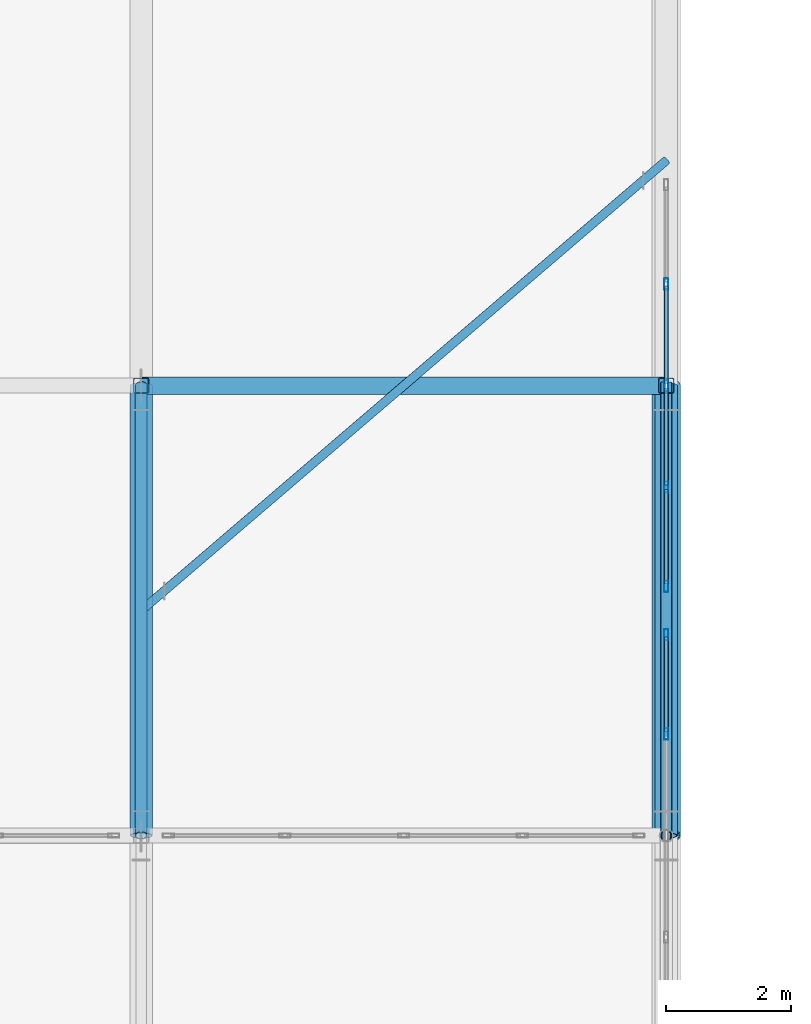
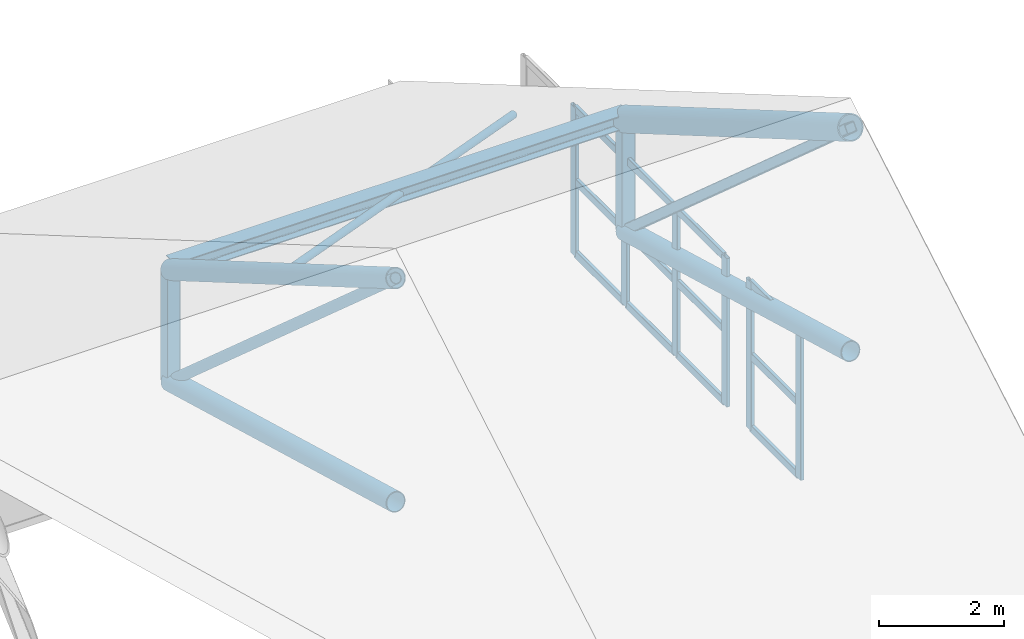
# One storey, part 23 of 54: 28 members, 2 elements without a shape of their own.
"""IFC4 building model written with IfcOpenShell, lengths in metres."""

from ifc_helpers import new_model, si_unit, direction, frame, origin, origin_2d, place, context, subcontext, project, spatial, hollow_rectangle, hollow_circle, i_section, extrude, material, layer, layer_set, material_profile, profile_set, type_object, element, aggregate, save


model = new_model("IFC4")

# Units and contexts
model_context = context("Model", 3, precision=1e-05, world=origin(), true_north=direction((0.0, 1.0)))
body_context = subcontext(model_context, "Body", "Model", "MODEL_VIEW")
ifc_project = project(units=[si_unit("LENGTHUNIT", "METRE"), si_unit("AREAUNIT", "SQUARE_METRE"), si_unit("VOLUMEUNIT", "CUBIC_METRE"), si_unit("PLANEANGLEUNIT", "RADIAN"), si_unit("MASSUNIT", "GRAM", prefix="KILO")], contexts=[model_context])

# Site, building, storey
site_placement = place(None, origin())
site = spatial("IfcSite", under=ifc_project, at=site_placement, CompositionType="ELEMENT")
building_placement = place(site_placement, origin())
building = spatial("IfcBuilding", under=site, at=building_placement, Name="Zulmaris Art Gallery", CompositionType="ELEMENT")
storey_placement = place(building_placement, frame((0.0, 0.0, 26.39990234375)))
storey = spatial("IfcBuildingStorey", under=building, at=storey_placement, Name="L05", CompositionType="ELEMENT", Elevation=26.39990234375)

# Curtain wall, members
ifc_material_1 = material(Name="Pitched Roof North-Light Clerestory Wall", Category="aluminium")
ifc_layer = layer(ifc_material_1, 0.179931640625)
ifc_layer_set = layer_set([ifc_layer], Name="Pitched Roof North-Light Clerestory Wall")
curtain_wall_type = type_object("IfcCurtainWallType", Name="CW-CW05", PredefinedType="NOTDEFINED", material=ifc_layer_set)
curtain_wall_1_placement = place(storey_placement, origin())
curtain_wall_1 = element("IfcCurtainWall", 1, at=curtain_wall_1_placement, inside=storey, type_object=curtain_wall_type, Name="L05 curtain wall 42", PredefinedType="NOTDEFINED")
ifc_material_2 = material(Name="Anodised Bronze Aluminium", Category="aluminium")
ifc_material_profile_1 = material_profile(ifc_material_2, hollow_rectangle(XDim=0.06494140625, YDim=0.179931640625, WallThickness=0.00390625, InnerFilletRadius=0.006103515625, OuterFilletRadius=0.010009765625, at=origin_2d()), Name="ALU 65x180x4")
ifc_profile_set_1 = profile_set([ifc_material_profile_1], Name="Anodised Bronze Aluminium")
member_type_1 = type_object("IfcMemberType", Name="CWMUL-01", PredefinedType="MULLION", material=ifc_profile_set_1)
member_1_placement = place(storey_placement, frame((82.800048828125, 37.625, 0.0), z_axis=(0.0, 0.0, 1.0), x_axis=(-1.0, 0.0, 0.0)))
member_1 = element("IfcMember", 2, at=member_1_placement, type_object=member_type_1, Name="CW05 mullion 4", PredefinedType="MULLION", context=body_context, shape_type="SweptSolid", body=[
    extrude(hollow_rectangle(XDim=0.06494140625, YDim=0.179931640625, WallThickness=0.00390625, InnerFilletRadius=0.006103515625, OuterFilletRadius=0.010009765625, at=origin_2d()), origin(), (0.0, 0.0, 1.0), 2.900146484375),
])
member_2_placement = place(storey_placement, frame((82.800048828125, 39.21240234375, 0.0), z_axis=(0.0, 0.0, 1.0), x_axis=(-1.0, 0.0, 0.0)))
member_2 = element("IfcMember", 3, at=member_2_placement, type_object=member_type_1, Name="CW05 mullion 5", PredefinedType="MULLION", context=body_context, shape_type="SweptSolid", body=[
    extrude(hollow_rectangle(XDim=0.06494140625, YDim=0.179931640625, WallThickness=0.00390625, InnerFilletRadius=0.006103515625, OuterFilletRadius=0.010009765625, at=origin_2d()), origin(), (0.0, 0.0, 1.0), 2.900146484375),
])

curtain_wall_2_placement = place(storey_placement, origin())
curtain_wall_2 = element("IfcCurtainWall", 4, at=curtain_wall_2_placement, inside=storey, type_object=curtain_wall_type, Name="L05 curtain wall 43", PredefinedType="NOTDEFINED")
member_3_placement = place(storey_placement, frame((82.800048828125, 39.987548828125, 0.0), z_axis=(0.0, 0.0, 1.0), x_axis=(-1.0, 0.0, 0.0)))
member_3 = element("IfcMember", 5, at=member_3_placement, type_object=member_type_1, Name="CW05 mullion 1", PredefinedType="MULLION", context=body_context, shape_type="SweptSolid", body=[
    extrude(hollow_rectangle(XDim=0.06494140625, YDim=0.179931640625, WallThickness=0.00390625, InnerFilletRadius=0.006103515625, OuterFilletRadius=0.010009765625, at=origin_2d()), origin(), (0.0, 0.0, 1.0), 2.900146484375),
])
member_4_placement = place(storey_placement, frame((82.800048828125, 41.574951171875, 0.0), z_axis=(0.0, 0.0, 1.0), x_axis=(-1.0, 0.0, 0.0)))
member_4 = element("IfcMember", 6, at=member_4_placement, type_object=member_type_1, Name="CW05 mullion 2", PredefinedType="MULLION", context=body_context, shape_type="SweptSolid", body=[
    extrude(hollow_rectangle(XDim=0.06494140625, YDim=0.179931640625, WallThickness=0.00390625, InnerFilletRadius=0.006103515625, OuterFilletRadius=0.010009765625, at=origin_2d()), origin(), (0.0, 0.0, 1.0), 2.900146484375),
])
member_5_placement = place(storey_placement, frame((82.800048828125, 43.199951171875, 0.0), z_axis=(0.0, 0.0, 1.0), x_axis=(-1.0, 0.0, 0.0)))
member_5 = element("IfcMember", 7, at=member_5_placement, type_object=member_type_1, Name="CW05 mullion 3", PredefinedType="MULLION", context=body_context, shape_type="SweptSolid", body=[
    extrude(hollow_rectangle(XDim=0.06494140625, YDim=0.179931640625, WallThickness=0.00390625, InnerFilletRadius=0.006103515625, OuterFilletRadius=0.010009765625, at=origin_2d()), origin(), (0.0, 0.0, 1.0), 2.900146484375),
])
member_6_placement = place(storey_placement, frame((82.800048828125, 44.824951171875, 0.0), z_axis=(0.0, 0.0, 1.0), x_axis=(-1.0, 0.0, 0.0)))
member_6 = element("IfcMember", 8, at=member_6_placement, type_object=member_type_1, Name="CW05 mullion 4", PredefinedType="MULLION", context=body_context, shape_type="SweptSolid", body=[
    extrude(hollow_rectangle(XDim=0.06494140625, YDim=0.179931640625, WallThickness=0.00390625, InnerFilletRadius=0.006103515625, OuterFilletRadius=0.010009765625, at=origin_2d()), origin(), (0.0, 0.0, 1.0), 2.900146484375),
])

# Member
ifc_material_profile_2 = material_profile(ifc_material_2, hollow_rectangle(XDim=0.06494140625, YDim=0.14990234375, WallThickness=0.00390625, InnerFilletRadius=0.006103515625, OuterFilletRadius=0.010009765625, at=origin_2d()), Name="ALU 65x150x4")
ifc_profile_set_2 = profile_set([ifc_material_profile_2], Name="Anodised Bronze Aluminium")
member_type_2 = type_object("IfcMemberType", Name="CWTRN-01", PredefinedType="USERDEFINED", material=ifc_profile_set_2)
member_7_placement = place(storey_placement, frame((82.800048828125, 37.66259765625, 0.03759765625), z_axis=(0.0, 1.0, 0.0), x_axis=(-1.0, 0.0, 0.0)))
member_7 = element("IfcMember", 9, at=member_7_placement, type_object=member_type_2, Name="CW05 transom 4.1", ObjectType="TRANSOM", PredefinedType="USERDEFINED", context=body_context, shape_type="SweptSolid", body=[
    extrude(hollow_rectangle(XDim=0.06494140625, YDim=0.14990234375, WallThickness=0.00390625, InnerFilletRadius=0.006103515625, OuterFilletRadius=0.010009765625, at=origin_2d()), origin(), (0.0, 0.0, 1.0), 1.512451171875),
])

member_8_placement = place(storey_placement, frame((82.800048828125, 37.66259765625, 1.4501953125), z_axis=(0.0, 1.0, 0.0), x_axis=(-1.0, 0.0, 0.0)))
member_8 = element("IfcMember", 10, at=member_8_placement, type_object=member_type_2, Name="CW05 transom 4.2", ObjectType="TRANSOM", PredefinedType="USERDEFINED", context=body_context, shape_type="SweptSolid", body=[
    extrude(hollow_rectangle(XDim=0.06494140625, YDim=0.14990234375, WallThickness=0.00390625, InnerFilletRadius=0.006103515625, OuterFilletRadius=0.010009765625, at=origin_2d()), origin(), (0.0, 0.0, 1.0), 1.512451171875),
])

member_9_placement = place(storey_placement, frame((82.800048828125, 37.66259765625, 2.862548828125), z_axis=(0.0, 1.0, 0.0), x_axis=(-1.0, 0.0, 0.0)))
member_9 = element("IfcMember", 11, at=member_9_placement, type_object=member_type_2, Name="CW05 transom 4.3", ObjectType="TRANSOM", PredefinedType="USERDEFINED", context=body_context, shape_type="SweptSolid", body=[
    extrude(hollow_rectangle(XDim=0.06494140625, YDim=0.14990234375, WallThickness=0.00390625, InnerFilletRadius=0.006103515625, OuterFilletRadius=0.010009765625, at=origin_2d()), origin(), (0.0, 0.0, 1.0), 1.512451171875),
])

aggregate(curtain_wall_1, [member_1, member_2, member_7, member_8, member_9])

member_10_placement = place(storey_placement, frame((82.800048828125, 40.02490234375, 0.03759765625), z_axis=(0.0, 1.0, 0.0), x_axis=(-1.0, 0.0, 0.0)))
member_10 = element("IfcMember", 12, at=member_10_placement, type_object=member_type_2, Name="CW05 transom 1.1", ObjectType="TRANSOM", PredefinedType="USERDEFINED", context=body_context, shape_type="SweptSolid", body=[
    extrude(hollow_rectangle(XDim=0.06494140625, YDim=0.14990234375, WallThickness=0.00390625, InnerFilletRadius=0.006103515625, OuterFilletRadius=0.010009765625, at=origin_2d()), origin(), (0.0, 0.0, 1.0), 1.5126953125),
])

member_11_placement = place(storey_placement, frame((82.800048828125, 40.02490234375, 1.4501953125), z_axis=(0.0, 1.0, 0.0), x_axis=(-1.0, 0.0, 0.0)))
member_11 = element("IfcMember", 13, at=member_11_placement, type_object=member_type_2, Name="CW05 transom 1.2", ObjectType="TRANSOM", PredefinedType="USERDEFINED", context=body_context, shape_type="SweptSolid", body=[
    extrude(hollow_rectangle(XDim=0.06494140625, YDim=0.14990234375, WallThickness=0.00390625, InnerFilletRadius=0.006103515625, OuterFilletRadius=0.010009765625, at=origin_2d()), origin(), (0.0, 0.0, 1.0), 1.5126953125),
])

member_12_placement = place(storey_placement, frame((82.800048828125, 40.02490234375, 2.862548828125), z_axis=(0.0, 1.0, 0.0), x_axis=(-1.0, 0.0, 0.0)))
member_12 = element("IfcMember", 14, at=member_12_placement, type_object=member_type_2, Name="CW05 transom 1.3", ObjectType="TRANSOM", PredefinedType="USERDEFINED", context=body_context, shape_type="SweptSolid", body=[
    extrude(hollow_rectangle(XDim=0.06494140625, YDim=0.14990234375, WallThickness=0.00390625, InnerFilletRadius=0.006103515625, OuterFilletRadius=0.010009765625, at=origin_2d()), origin(), (0.0, 0.0, 1.0), 1.5126953125),
])

member_13_placement = place(storey_placement, frame((82.800048828125, 41.612548828125, 0.03759765625), z_axis=(0.0, 1.0, 0.0), x_axis=(-1.0, 0.0, 0.0)))
member_13 = element("IfcMember", 15, at=member_13_placement, type_object=member_type_2, Name="CW05 transom 2.1", ObjectType="TRANSOM", PredefinedType="USERDEFINED", context=body_context, shape_type="SweptSolid", body=[
    extrude(hollow_rectangle(XDim=0.06494140625, YDim=0.14990234375, WallThickness=0.00390625, InnerFilletRadius=0.006103515625, OuterFilletRadius=0.010009765625, at=origin_2d()), origin(), (0.0, 0.0, 1.0), 1.550048828125),
])

member_14_placement = place(storey_placement, frame((82.800048828125, 41.612548828125, 1.4501953125), z_axis=(0.0, 1.0, 0.0), x_axis=(-1.0, 0.0, 0.0)))
member_14 = element("IfcMember", 16, at=member_14_placement, type_object=member_type_2, Name="CW05 transom 2.2", ObjectType="TRANSOM", PredefinedType="USERDEFINED", context=body_context, shape_type="SweptSolid", body=[
    extrude(hollow_rectangle(XDim=0.06494140625, YDim=0.14990234375, WallThickness=0.00390625, InnerFilletRadius=0.006103515625, OuterFilletRadius=0.010009765625, at=origin_2d()), origin(), (0.0, 0.0, 1.0), 1.550048828125),
])

member_15_placement = place(storey_placement, frame((82.800048828125, 41.612548828125, 2.862548828125), z_axis=(0.0, 1.0, 0.0), x_axis=(-1.0, 0.0, 0.0)))
member_15 = element("IfcMember", 17, at=member_15_placement, type_object=member_type_2, Name="CW05 transom 2.3", ObjectType="TRANSOM", PredefinedType="USERDEFINED", context=body_context, shape_type="SweptSolid", body=[
    extrude(hollow_rectangle(XDim=0.06494140625, YDim=0.14990234375, WallThickness=0.00390625, InnerFilletRadius=0.006103515625, OuterFilletRadius=0.010009765625, at=origin_2d()), origin(), (0.0, 0.0, 1.0), 1.550048828125),
])

member_16_placement = place(storey_placement, frame((82.800048828125, 43.237548828125, 0.03759765625), z_axis=(0.0, 1.0, 0.0), x_axis=(-1.0, 0.0, 0.0)))
member_16 = element("IfcMember", 18, at=member_16_placement, type_object=member_type_2, Name="CW05 transom 3.1", ObjectType="TRANSOM", PredefinedType="USERDEFINED", context=body_context, shape_type="SweptSolid", body=[
    extrude(hollow_rectangle(XDim=0.06494140625, YDim=0.14990234375, WallThickness=0.00390625, InnerFilletRadius=0.006103515625, OuterFilletRadius=0.010009765625, at=origin_2d()), origin(), (0.0, 0.0, 1.0), 1.550048828125),
])

member_17_placement = place(storey_placement, frame((82.800048828125, 43.237548828125, 1.4501953125), z_axis=(0.0, 1.0, 0.0), x_axis=(-1.0, 0.0, 0.0)))
member_17 = element("IfcMember", 19, at=member_17_placement, type_object=member_type_2, Name="CW05 transom 3.2", ObjectType="TRANSOM", PredefinedType="USERDEFINED", context=body_context, shape_type="SweptSolid", body=[
    extrude(hollow_rectangle(XDim=0.06494140625, YDim=0.14990234375, WallThickness=0.00390625, InnerFilletRadius=0.006103515625, OuterFilletRadius=0.010009765625, at=origin_2d()), origin(), (0.0, 0.0, 1.0), 1.550048828125),
])

member_18_placement = place(storey_placement, frame((82.800048828125, 43.237548828125, 2.862548828125), z_axis=(0.0, 1.0, 0.0), x_axis=(-1.0, 0.0, 0.0)))
member_18 = element("IfcMember", 20, at=member_18_placement, type_object=member_type_2, Name="CW05 transom 3.3", ObjectType="TRANSOM", PredefinedType="USERDEFINED", context=body_context, shape_type="SweptSolid", body=[
    extrude(hollow_rectangle(XDim=0.06494140625, YDim=0.14990234375, WallThickness=0.00390625, InnerFilletRadius=0.006103515625, OuterFilletRadius=0.010009765625, at=origin_2d()), origin(), (0.0, 0.0, 1.0), 1.550048828125),
])

aggregate(curtain_wall_2, [member_3, member_4, member_5, member_6, member_10, member_11, member_12, member_13, member_14, member_15, member_16, member_17, member_18])

# Members
ifc_material_3 = material(Name="Steel S355J2H", Category="steel")
ifc_material_profile_3 = material_profile(ifc_material_3, hollow_circle(Radius=0.06982421875, WallThickness=0.008056640625, at=origin_2d()), Name="CHS 139.7x8")
ifc_profile_set_3 = profile_set([ifc_material_profile_3], Name="Steel S355J2H")
member_type_3 = type_object("IfcMemberType", Name="MEM-BR01", PredefinedType="BRACE", material=ifc_profile_set_3)
member_19_placement = place(storey_placement, frame((74.39990234375, 39.60009765625, 5.72021484375), z_axis=(0.709831942539, 0.608412643282, -0.354926286495), x_axis=(-0.650782286936, 0.759264390716, 0.0)))
element("IfcMember", 21, at=member_19_placement, inside=storey, type_object=member_type_3, Name="Roof wind collector brace 9A", PredefinedType="BRACE", context=body_context, shape_type="SweptSolid", body=[
    extrude(hollow_circle(Radius=0.06982421875, WallThickness=0.008056640625, at=origin_2d()), origin(), (0.0, 0.0, 1.0), 11.833984375),
])
ifc_material_4 = material(Name="Steel S355J2", Category="steel")
ifc_material_profile_4 = material_profile(ifc_material_4, i_section(OverallWidth=0.280029296875, OverallDepth=0.280029296875, WebThickness=0.010498046875, FlangeThickness=0.01806640625, FilletRadius=0.02392578125, at=origin_2d()), Name="HEB 280")
ifc_profile_set_4 = profile_set([ifc_material_profile_4], Name="Steel S355J2")
member_type_4 = type_object("IfcMemberType", Name="MEM-PR06", PredefinedType="PURLIN", material=ifc_profile_set_4)
member_20_placement = place(storey_placement, frame((74.39990234375, 43.199951171875, 3.68017578125), z_axis=(1.0, 0.0, 0.0), x_axis=(0.0, 1.0, 0.0)))
element("IfcMember", 22, at=member_20_placement, inside=storey, type_object=member_type_4, Name="Skylight roof purlin bay 9 line 4", PredefinedType="PURLIN", context=body_context, shape_type="SweptSolid", body=[
    extrude(i_section(OverallWidth=0.280029296875, OverallDepth=0.280029296875, WebThickness=0.010498046875, FlangeThickness=0.01806640625, FilletRadius=0.02392578125, at=origin_2d()), origin(), (0.0, 0.0, 1.0), 8.400146484375),
])
ifc_material_profile_5 = material_profile(ifc_material_3, hollow_circle(Radius=0.096923828125, WallThickness=0.010009765625, at=origin_2d()), Name="CHS 193.7x10")
ifc_profile_set_5 = profile_set([ifc_material_profile_5], Name="Steel S355J2H")
member_type_5 = type_object("IfcMemberType", Name="MEM-TB02", PredefinedType="BRACE", material=ifc_profile_set_5)
member_21_placement = place(storey_placement, frame((74.39990234375, 36.0, 7.820068359375), z_axis=(0.0, 0.748961175261, -0.662613883006), x_axis=(-1.0, 0.0, 0.0)))
element("IfcMember", 23, at=member_21_placement, inside=storey, type_object=member_type_5, Name="Pitched gallery truss TR-R09 diagonal 3", PredefinedType="BRACE", context=body_context, shape_type="SweptSolid", body=[
    extrude(hollow_circle(Radius=0.096923828125, WallThickness=0.010009765625, at=origin_2d()), origin(), (0.0, 0.0, 1.0), 9.61328125),
])
ifc_material_profile_6 = material_profile(ifc_material_3, hollow_rectangle(XDim=0.179931640625, YDim=0.179931640625, WallThickness=0.010009765625, InnerFilletRadius=0.014892578125, OuterFilletRadius=0.02490234375, at=origin_2d()), Name="SHS 180x180x10")
ifc_profile_set_6 = profile_set([ifc_material_profile_6], Name="Steel S355J2H")
member_type_6 = type_object("IfcMemberType", Name="MEM-TB05", PredefinedType="BRACE", material=ifc_profile_set_6)
member_22_placement = place(storey_placement, frame((82.800048828125, 36.0, 7.820068359375), z_axis=(0.0, 0.748961175261, -0.662613883006), x_axis=(-1.0, 0.0, 0.0)))
element("IfcMember", 24, at=member_22_placement, inside=storey, type_object=member_type_6, Name="Pitched gallery truss TR-R10 diagonal 3", PredefinedType="BRACE", context=body_context, shape_type="SweptSolid", body=[
    extrude(hollow_rectangle(XDim=0.179931640625, YDim=0.179931640625, WallThickness=0.010009765625, InnerFilletRadius=0.014892578125, OuterFilletRadius=0.02490234375, at=origin_2d()), origin(), (0.0, 0.0, 1.0), 9.61328125),
])
ifc_material_profile_7 = material_profile(ifc_material_3, hollow_circle(Radius=0.177734375, WallThickness=0.01611328125, at=origin_2d()), Name="CHS 355.6x16")
ifc_profile_set_7 = profile_set([ifc_material_profile_7], Name="Steel S355J2H")
member_type_7 = type_object("IfcMemberType", Name="MEM-TC01", PredefinedType="CHORD", material=ifc_profile_set_7)
member_23_placement = place(storey_placement, frame((74.39990234375, 36.0, 7.820068359375), z_axis=(0.0, 0.863779963214, -0.503869204407), x_axis=(-1.0, 0.0, 0.0)))
element("IfcMember", 25, at=member_23_placement, inside=storey, type_object=member_type_7, Name="Pitched gallery truss TR-R09 top chord 3", PredefinedType="CHORD", context=body_context, shape_type="SweptSolid", body=[
    extrude(hollow_circle(Radius=0.177734375, WallThickness=0.01611328125, at=origin_2d()), origin(), (0.0, 0.0, 1.0), 8.33544921875),
])
for number, where, z_axis, x_axis, name in (
    (26, (74.39990234375, 36.0, 3.4501953125), (0.0, 0.963517441554, -0.267645548853), (-1.0, 0.0, 0.0), "Pitched gallery truss TR-R09 bottom chord 3"),
    (27, (82.800048828125, 36.0, 3.4501953125), (0.0, 0.963517441554, -0.267645548853), (-1.0, 0.0, 0.0), "Pitched gallery truss TR-R10 bottom chord 3"),
):
    element("IfcMember", number, at=place(storey_placement, frame(where, z_axis=z_axis, x_axis=x_axis)), inside=storey, type_object=member_type_7, Name=name, PredefinedType="CHORD", context=body_context, shape_type="SweptSolid", body=[
        extrude(hollow_circle(Radius=0.177734375, WallThickness=0.01611328125, at=origin_2d()), origin(), (0.0, 0.0, 1.0), 7.47265625),
    ])
ifc_material_profile_8 = material_profile(ifc_material_3, hollow_circle(Radius=0.228515625, WallThickness=0.02001953125, at=origin_2d()), Name="CHS 457x20")
ifc_profile_set_8 = profile_set([ifc_material_profile_8], Name="Steel S355J2H")
member_type_8 = type_object("IfcMemberType", Name="MEM-TC03", PredefinedType="CHORD", material=ifc_profile_set_8)
member_24_placement = place(storey_placement, frame((82.800048828125, 36.0, 7.820068359375), z_axis=(0.0, 0.863779963214, -0.503869204407), x_axis=(-1.0, 0.0, 0.0)))
element("IfcMember", 28, at=member_24_placement, inside=storey, type_object=member_type_8, Name="Pitched gallery truss TR-R10 top chord 3", PredefinedType="CHORD", context=body_context, shape_type="SweptSolid", body=[
    extrude(hollow_circle(Radius=0.228515625, WallThickness=0.02001953125, at=origin_2d()), origin(), (0.0, 0.0, 1.0), 8.33544921875),
])
ifc_material_profile_9 = material_profile(ifc_material_3, hollow_rectangle(XDim=0.25, YDim=0.25, WallThickness=0.012451171875, InnerFilletRadius=0.018798828125, OuterFilletRadius=0.03125, at=origin_2d()), Name="SHS 250x250x12.5")
ifc_profile_set_9 = profile_set([ifc_material_profile_9], Name="Steel S355J2H")
member_type_9 = type_object("IfcMemberType", Name="MEM-TP05", PredefinedType="POST", material=ifc_profile_set_9)
for number, where, z_axis, x_axis, name in (
    (29, (74.39990234375, 43.199951171875, 1.4501953125), (0.0, 0.0, 1.0), (1.0, 0.0, 0.0), "Pitched gallery truss TR-R09 web post 4"),
    (30, (82.800048828125, 43.199951171875, 1.4501953125), (0.0, 0.0, 1.0), (1.0, 0.0, 0.0), "Pitched gallery truss TR-R10 web post 4"),
):
    element("IfcMember", number, at=place(storey_placement, frame(where, z_axis=z_axis, x_axis=x_axis)), inside=storey, type_object=member_type_9, Name=name, PredefinedType="POST", context=body_context, shape_type="SweptSolid", body=[
        extrude(hollow_rectangle(XDim=0.25, YDim=0.25, WallThickness=0.012451171875, InnerFilletRadius=0.018798828125, OuterFilletRadius=0.03125, at=origin_2d()), origin(), (0.0, 0.0, 1.0), 2.169921875),
    ])

save(model, "model.ifc")
